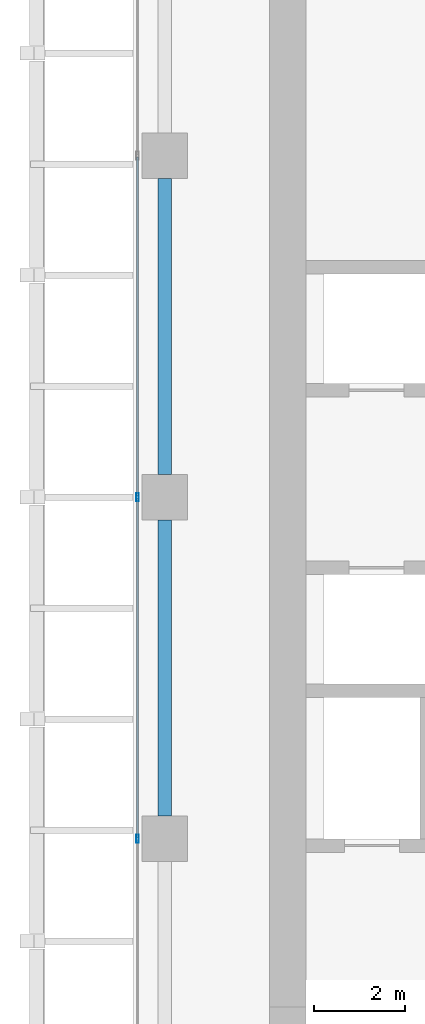
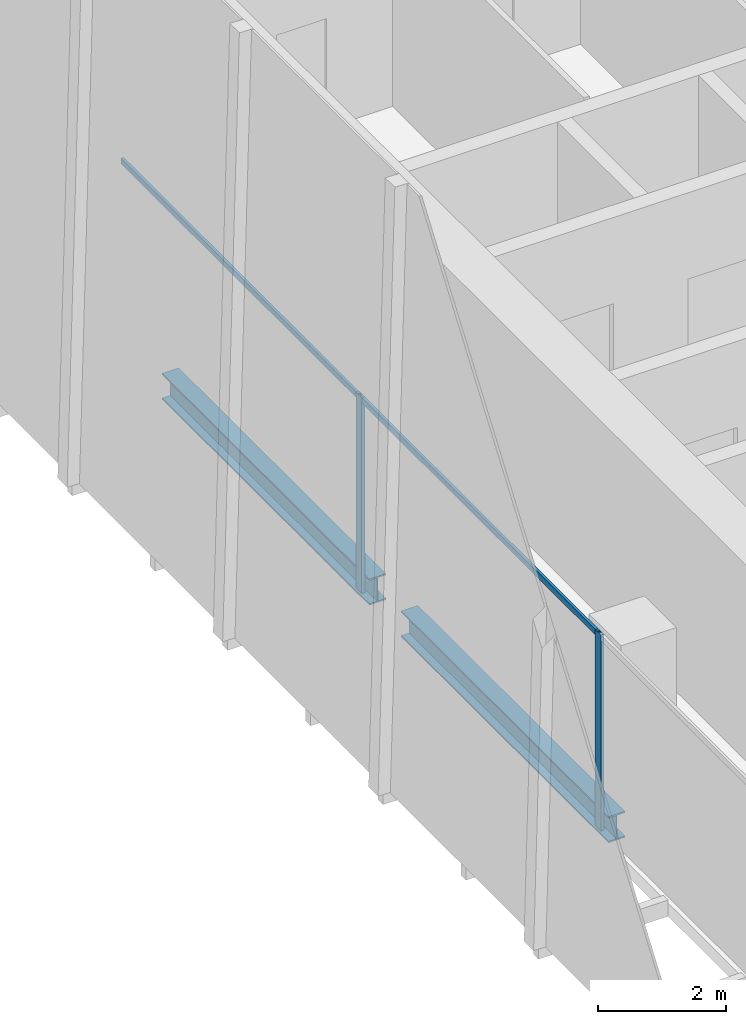
# One storey, part 6 of 40: 4 members, 2 beams, 1 element without a shape of its own.
"""IFC4 building model written with IfcOpenShell, lengths in metres."""

from ifc_helpers import new_model, si_unit, direction, frame, origin, origin_2d, place, context, subcontext, project, spatial, hollow_rectangle, i_section, extrude, source, transform, mapped, material, material_profile, profile_set, type_object, element, aggregate, save


model = new_model("IFC4")

# Units and contexts
model_context = context("Model", 3, precision=1e-05, world=origin(), true_north=direction((0.0, 1.0)))
body_context = subcontext(model_context, "Body", "Model", "MODEL_VIEW")
ifc_project = project(units=[si_unit("LENGTHUNIT", "METRE"), si_unit("AREAUNIT", "SQUARE_METRE"), si_unit("VOLUMEUNIT", "CUBIC_METRE"), si_unit("PLANEANGLEUNIT", "RADIAN"), si_unit("MASSUNIT", "GRAM", prefix="KILO")], contexts=[model_context])

# Site, building, storey
site_placement = place(None, origin())
site = spatial("IfcSite", under=ifc_project, at=site_placement, CompositionType="ELEMENT")
building_placement = place(site_placement, origin())
building = spatial("IfcBuilding", under=site, at=building_placement, Name="Khomas Fold Tower", CompositionType="ELEMENT")
storey_placement = place(building_placement, frame((0.0, 0.0, 176.699951171875)))
storey = spatial("IfcBuildingStorey", under=building, at=storey_placement, Name="L38", CompositionType="ELEMENT", Elevation=176.699951171875)

# Beams
ifc_material_1 = material(Name="Steel S355", Category="steel")
ifc_material_profile_1 = material_profile(ifc_material_1, i_section(OverallWidth=0.300048828125, OverallDepth=0.5, WebThickness=0.014404296875, FlangeThickness=0.028076171875, at=origin_2d()), Name="HE 500 B")
ifc_profile_set_1 = profile_set([ifc_material_profile_1], Name="Steel S355")
beam_type = type_object("IfcBeamType", Name="HE 500 B spandrel SB3", PredefinedType="SPANDREL", material=ifc_profile_set_1)
shared_shape_1 = source(origin(), body_context, "Body", "SweptSolid", [
    extrude(i_section(OverallWidth=0.300048828125, OverallDepth=0.5, WebThickness=0.014404296875, FlangeThickness=0.028076171875, at=origin_2d()), origin(), (0.0, 0.0, 1.0), 6.5),
])
for number, where, z_axis, x_axis, name in (
    (1, (3.699951171875, 27.5, -0.5), (0.0, 1.0, 0.0), (-1.0, 0.0, 0.0), "SB3"),
    (2, (3.699951171875, 20.0, -0.5), (0.0, 1.0, 0.0), (-1.0, 0.0, 0.0), "SB3"),
):
    element("IfcBeam", number, at=place(storey_placement, frame(where, z_axis=z_axis, x_axis=x_axis)), inside=storey, type_object=beam_type, Name=name, PredefinedType="SPANDREL", context=body_context, shape_type="MappedRepresentation", body=[
        mapped(shared_shape_1, transform((0.0, 0.0, 0.0))),
    ])

# Curtain wall, members
ifc_material_2 = material(Name="Aluminium framed double glazing", Category="aluminium")
curtain_wall_type = type_object("IfcCurtainWallType", Name="SK-Unitised clear-glass wall, office floors CW2", PredefinedType="NOTDEFINED", material=ifc_material_2)
curtain_wall_placement = place(storey_placement, origin())
curtain_wall = element("IfcCurtainWall", 3, at=curtain_wall_placement, inside=storey, type_object=curtain_wall_type, Name="CW2 run L38 18-0", PredefinedType="NOTDEFINED")
ifc_material_3 = material(Name="Aluminium", Category="aluminium")
ifc_material_profile_2 = material_profile(ifc_material_3, hollow_rectangle(XDim=0.06005859375, YDim=0.179931640625, WallThickness=0.00390625, at=origin_2d()), Name="SK-Unitised clear-glass wall, office floors mullion CW2-M")
ifc_profile_set_2 = profile_set([ifc_material_profile_2], Name="Aluminium")
member_type_1 = type_object("IfcMemberType", Name="SK-Unitised clear-glass wall, office floors mullion CW2-M", PredefinedType="MULLION", material=ifc_profile_set_2)
shared_shape_2 = source(origin(), body_context, "Body", "SweptSolid", [
    extrude(hollow_rectangle(XDim=0.06005859375, YDim=0.179931640625, WallThickness=0.00390625, at=origin_2d()), origin(), (0.0, 0.0, 1.0), 3.75),
])
member_1_placement = place(storey_placement, frame((3.10009765625, 27.0, 0.0), z_axis=(0.0, 0.0, 1.0), x_axis=(1.0, 0.0, 0.0)))
member_1 = element("IfcMember", 4, at=member_1_placement, type_object=member_type_1, Name="CW2 mullion 5", PredefinedType="MULLION", context=body_context, shape_type="MappedRepresentation", body=[
    mapped(shared_shape_2, transform((0.0, 0.0, 0.0))),
])
member_2_placement = place(storey_placement, frame((3.10009765625, 19.5, 0.0), z_axis=(0.0, 0.0, 1.0), x_axis=(1.0, 0.0, 0.0)))
member_2 = element("IfcMember", 5, at=member_2_placement, type_object=member_type_1, Name="CW2 mullion 6", PredefinedType="MULLION", context=body_context, shape_type="MappedRepresentation", body=[
    mapped(shared_shape_2, transform((0.0, 0.0, 0.0))),
])
ifc_material_4 = material(Name="Aluminium", Category="aluminium")
ifc_material_profile_3 = material_profile(ifc_material_4, hollow_rectangle(XDim=0.050048828125, YDim=0.110107421875, WallThickness=0.00390625, at=origin_2d()), Name="SK-Unitised clear-glass wall, office floors transom CW2-T")
ifc_profile_set_3 = profile_set([ifc_material_profile_3], Name="Aluminium")
member_type_2 = type_object("IfcMemberType", Name="SK-Unitised clear-glass wall, office floors transom CW2-T", PredefinedType="USERDEFINED", material=ifc_profile_set_3)
shared_shape_3 = source(origin(), body_context, "Body", "SweptSolid", [
    extrude(hollow_rectangle(XDim=0.050048828125, YDim=0.110107421875, WallThickness=0.00390625, at=origin_2d()), origin(), (0.0, 0.0, 1.0), 7.43994140625),
])
member_3_placement = place(storey_placement, frame((3.10009765625, 34.469970703125, 3.695068359375), z_axis=(0.0, -1.0, 0.0), x_axis=(1.0, 0.0, 0.0)))
member_3 = element("IfcMember", 6, at=member_3_placement, type_object=member_type_2, Name="CW2 transom 4", ObjectType="TRANSOM", PredefinedType="USERDEFINED", context=body_context, shape_type="MappedRepresentation", body=[
    mapped(shared_shape_3, transform((0.0, 0.0, 0.0))),
])
member_4_placement = place(storey_placement, frame((3.10009765625, 26.969970703125, 3.695068359375), z_axis=(0.0, -1.0, 0.0), x_axis=(1.0, 0.0, 0.0)))
member_4 = element("IfcMember", 7, at=member_4_placement, type_object=member_type_2, Name="CW2 transom 5", ObjectType="TRANSOM", PredefinedType="USERDEFINED", context=body_context, shape_type="MappedRepresentation", body=[
    mapped(shared_shape_3, transform((0.0, 0.0, 0.0))),
])
aggregate(curtain_wall, [member_1, member_2, member_3, member_4])

save(model, "model.ifc")
